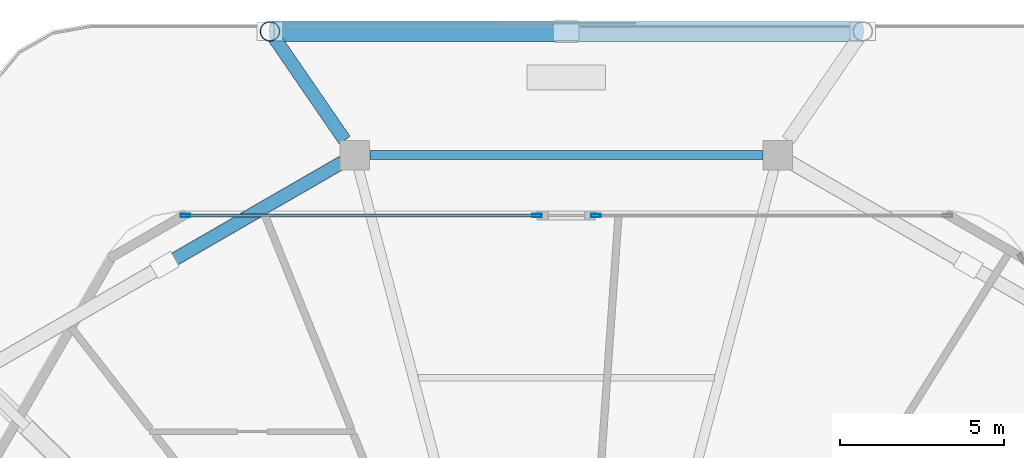
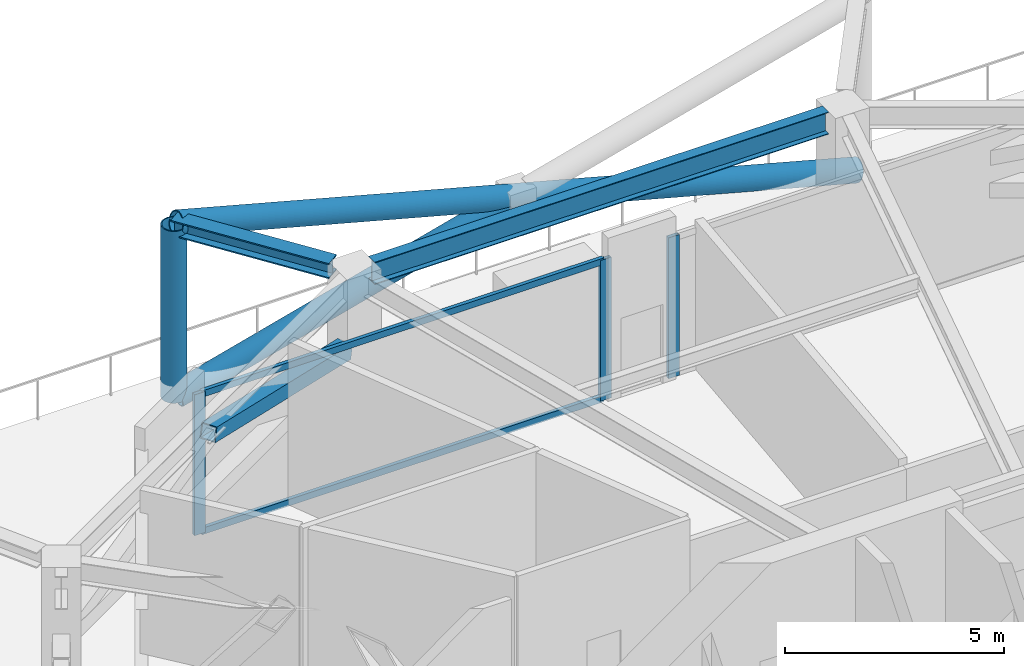
# One storey, part 8 of 20: 9 members, 2 beams, 2 elements without a shape of their own.
"""IFC4 building model written with IfcOpenShell, lengths in metres."""

from ifc_helpers import new_model, si_unit, direction, frame, origin, origin_2d, place, context, subcontext, project, spatial, hollow_rectangle, hollow_circle, i_section, extrude, material, material_profile, profile_set, type_object, element, aggregate, save


model = new_model("IFC4")

# Units and contexts
model_context = context("Model", 3, precision=1e-05, world=origin(), true_north=direction((0.0, 1.0)))
body_context = subcontext(model_context, "Body", "Model", "MODEL_VIEW")
ifc_project = project(units=[si_unit("LENGTHUNIT", "METRE"), si_unit("AREAUNIT", "SQUARE_METRE"), si_unit("VOLUMEUNIT", "CUBIC_METRE"), si_unit("PLANEANGLEUNIT", "RADIAN"), si_unit("MASSUNIT", "GRAM", prefix="KILO")], contexts=[model_context])

# Site, building, storey
site_placement = place(None, origin())
site = spatial("IfcSite", under=ifc_project, at=site_placement, CompositionType="ELEMENT")
building_placement = place(site_placement, origin())
building = spatial("IfcBuilding", under=site, at=building_placement, Name="Zuhravey Tower", CompositionType="ELEMENT")
storey_placement = place(building_placement, frame((0.0, 0.0, 226.39990234375)))
storey = spatial("IfcBuildingStorey", under=building, at=storey_placement, Name="L57", CompositionType="ELEMENT", Elevation=226.39990234375)

# Member
ifc_material_1 = material(Name="Steel SM355", Category="steel")
ifc_material_profile_1 = material_profile(ifc_material_1, hollow_rectangle(XDim=0.39990234375, YDim=0.39990234375, WallThickness=0.02490234375, at=origin_2d()), Name="RHS-400x400x25")
ifc_profile_set_1 = profile_set([ifc_material_profile_1], Name="Steel SM355")
member_type_1 = type_object("IfcMemberType", Name="Belt Truss Diagonal RHS400x400", PredefinedType="BRACE", material=ifc_profile_set_1)
member_1_placement = place(storey_placement, frame((29.15234375, 56.31884765625, 2.493408203125), z_axis=(-0.843861073225, -0.487223376581, 0.224748460302), x_axis=(0.50001536203, -0.866016534331, 0.0)))
element("IfcMember", 1, at=member_1_placement, inside=storey, type_object=member_type_1, Name="L57 Belt Truss Diagonal BTD1-03.1", PredefinedType="BRACE", context=body_context, shape_type="SweptSolid", body=[
    extrude(hollow_rectangle(XDim=0.39990234375, YDim=0.39990234375, WallThickness=0.02490234375, at=origin_2d()), origin(), (0.0, 0.0, 1.0), 6.36767578125),
])

# Beam
ifc_material_2 = material(Name="Steel SM460", Category="steel")
ifc_material_profile_2 = material_profile(ifc_material_2, i_section(OverallWidth=0.406982421875, OverallDepth=0.427978515625, WebThickness=0.02001953125, FlangeThickness=0.034912109375, at=origin_2d()), Name="H-428x407x20x35")
ifc_profile_set_2 = profile_set([ifc_material_profile_2], Name="Steel SM460")
beam_type_1 = type_object("IfcBeamType", Name="Exoskeleton Node Tie Beam H428x407", PredefinedType="BEAM", material=ifc_profile_set_2)
beam_1_placement = place(storey_placement, frame((29.247802734375, 57.0068359375, 4.336181640625), z_axis=(-0.565936679704, 0.824448709481, 0.0), x_axis=(-0.824448709481, -0.565936679704, 0.0)))
element("IfcBeam", 2, at=beam_1_placement, inside=storey, type_object=beam_type_1, Name="L57 Exoskeleton Node Tie NT1-04", PredefinedType="BEAM", context=body_context, shape_type="SweptSolid", body=[
    extrude(i_section(OverallWidth=0.406982421875, OverallDepth=0.427978515625, WebThickness=0.02001953125, FlangeThickness=0.034912109375, at=origin_2d()), origin(), (0.0, 0.0, 1.0), 4.008056640625),
])

# Members
ifc_material_profile_3 = material_profile(ifc_material_1, hollow_circle(Radius=0.3046875, WallThickness=0.028076171875, at=origin_2d()), Name="CHS-609.6x28")
ifc_profile_set_3 = profile_set([ifc_material_profile_3], Name="Steel SM355")
member_type_2 = type_object("IfcMemberType", Name="Exoskeleton Zone 3 Diagrid CHS610x28", PredefinedType="BRACE", material=ifc_profile_set_3)
member_2_placement = place(storey_placement, frame((44.970947265625, 60.323486328125, -0.478515625), z_axis=(-0.96603939346, 0.0, 0.258394834089), x_axis=(0.0, -1.0, 0.0)))
element("IfcMember", 3, at=member_2_placement, inside=storey, type_object=member_type_2, Name="L57 Face 2 Diagrid Brace 2", PredefinedType="BRACE", context=body_context, shape_type="SweptSolid", body=[
    extrude(hollow_circle(Radius=0.3046875, WallThickness=0.028076171875, at=origin_2d()), origin(), (0.0, 0.0, 1.0), 18.57275390625),
])
member_3_placement = place(storey_placement, frame((26.970947265625, 60.323486328125, -0.475830078125), z_axis=(0.0, 0.0, 1.0), x_axis=(1.0, 0.0, 0.0)))
element("IfcMember", 4, at=member_3_placement, inside=storey, type_object=member_type_2, Name="L57 Face 2 Diagrid Brace 4", PredefinedType="BRACE", context=body_context, shape_type="SweptSolid", body=[
    extrude(hollow_circle(Radius=0.3046875, WallThickness=0.028076171875, at=origin_2d()), origin(), (0.0, 0.0, 1.0), 4.7939453125),
])
member_4_placement = place(storey_placement, frame((27.029052734375, 60.323486328125, -0.478515625), z_axis=(0.966035004754, 0.0, 0.258411241223), x_axis=(0.0, 1.0, 0.0)))
element("IfcMember", 5, at=member_4_placement, inside=storey, type_object=member_type_2, Name="L57 Face 2 Split Diagrid Brace 3A", PredefinedType="BRACE", context=body_context, shape_type="SweptSolid", body=[
    extrude(hollow_circle(Radius=0.3046875, WallThickness=0.028076171875, at=origin_2d()), origin(), (0.0, 0.0, 1.0), 8.991455078125),
])

# Curtain wall, members
ifc_material_3 = material(Name="Thermally broken anodised aluminium", Category="aluminium")
curtain_wall_type = type_object("IfcCurtainWallType", Name="Sky-Garden Tray Clerestory Curtain Wall CW5", PredefinedType="NOTDEFINED", material=ifc_material_3)
curtain_wall_1_placement = place(storey_placement, origin())
curtain_wall_1 = element("IfcCurtainWall", 6, at=curtain_wall_1_placement, inside=storey, type_object=curtain_wall_type, Name="L57 CW5 CW-L57-F2-1", PredefinedType="NOTDEFINED")
ifc_material_4 = material(Name="Anodised aluminium", Category="aluminium")
ifc_material_profile_4 = material_profile(ifc_material_4, hollow_rectangle(XDim=0.10009765625, YDim=0.2900390625, WallThickness=0.006103515625, at=origin_2d()), Name="ALU-RHS-100x290x6")
ifc_profile_set_4 = profile_set([ifc_material_profile_4], Name="Anodised aluminium")
member_type_3 = type_object("IfcMemberType", Name="Heavy Tall-Storey Mullion 100x220", PredefinedType="MULLION", material=ifc_profile_set_4)
member_5_placement = place(storey_placement, frame((24.39404296875, 54.713623046875, 0.0), z_axis=(0.0, 0.0, 1.0), x_axis=(0.0, 1.0, 0.0)))
member_5 = element("IfcMember", 7, at=member_5_placement, type_object=member_type_3, Name="CW5 mullion 1", PredefinedType="MULLION", context=body_context, shape_type="SweptSolid", body=[
    extrude(hollow_rectangle(XDim=0.10009765625, YDim=0.2900390625, WallThickness=0.006103515625, at=origin_2d()), origin(), (0.0, 0.0, 1.0), 3.93017578125),
])
member_6_placement = place(storey_placement, frame((35.10009765625, 54.713623046875, 0.0), z_axis=(0.0, 0.0, 1.0), x_axis=(0.0, 1.0, 0.0)))
member_6 = element("IfcMember", 8, at=member_6_placement, type_object=member_type_3, Name="CW5 mullion 2", PredefinedType="MULLION", context=body_context, shape_type="SweptSolid", body=[
    extrude(hollow_rectangle(XDim=0.10009765625, YDim=0.2900390625, WallThickness=0.006103515625, at=origin_2d()), origin(), (0.0, 0.0, 1.0), 3.93017578125),
])

# Curtain wall, member
curtain_wall_2_placement = place(storey_placement, origin())
curtain_wall_2 = element("IfcCurtainWall", 9, at=curtain_wall_2_placement, inside=storey, type_object=curtain_wall_type, Name="L57 CW5 CW-L57-F2-2", PredefinedType="NOTDEFINED")
member_7_placement = place(storey_placement, frame((36.89990234375, 54.713623046875, 0.0), z_axis=(0.0, 0.0, 1.0), x_axis=(0.0, 1.0, 0.0)))
member_7 = element("IfcMember", 10, at=member_7_placement, type_object=member_type_3, Name="CW5 mullion 1", PredefinedType="MULLION", context=body_context, shape_type="SweptSolid", body=[
    extrude(hollow_rectangle(XDim=0.10009765625, YDim=0.2900390625, WallThickness=0.006103515625, at=origin_2d()), origin(), (0.0, 0.0, 1.0), 3.93017578125),
])
aggregate(curtain_wall_2, [member_7])

# Beam
ifc_material_profile_5 = material_profile(ifc_material_1, i_section(OverallWidth=0.280029296875, OverallDepth=0.6201171875, WebThickness=0.011962890625, FlangeThickness=0.02001953125, at=origin_2d()), Name="H-620x280x12x20")
ifc_profile_set_5 = profile_set([ifc_material_profile_5], Name="Steel SM355")
beam_type_2 = type_object("IfcBeamType", Name="Perimeter Ring Beam H620x280", PredefinedType="BEAM", material=ifc_profile_set_5)
beam_2_placement = place(storey_placement, frame((41.98779296875, 56.5537109375, 4.239990234375), z_axis=(-1.0, 0.0, 0.0), x_axis=(0.0, -1.0, 0.0)))
element("IfcBeam", 11, at=beam_2_placement, inside=storey, type_object=beam_type_2, Name="L57 PB3 BM-L57-PB-03", PredefinedType="BEAM", context=body_context, shape_type="SweptSolid", body=[
    extrude(i_section(OverallWidth=0.280029296875, OverallDepth=0.6201171875, WebThickness=0.011962890625, FlangeThickness=0.02001953125, at=origin_2d()), origin(), (0.0, 0.0, 1.0), 11.9755859375),
])

# Member
ifc_material_profile_6 = material_profile(ifc_material_4, hollow_rectangle(XDim=0.10009765625, YDim=0.179931640625, WallThickness=0.006103515625, at=origin_2d()), Name="ALU-RHS-100x180x6")
ifc_profile_set_6 = profile_set([ifc_material_profile_6], Name="Anodised aluminium")
member_type_4 = type_object("IfcMemberType", Name="Tall-Storey Transom 100x180", PredefinedType="USERDEFINED", material=ifc_profile_set_6)
member_8_placement = place(storey_placement, frame((24.444091796875, 54.713623046875, 0.050048828125), z_axis=(1.0, 0.0, 0.0), x_axis=(0.0, 1.0, 0.0)))
member_8 = element("IfcMember", 12, at=member_8_placement, type_object=member_type_4, Name="CW5 transom 1.1", ObjectType="TRANSOM", PredefinedType="USERDEFINED", context=body_context, shape_type="SweptSolid", body=[
    extrude(hollow_rectangle(XDim=0.10009765625, YDim=0.179931640625, WallThickness=0.006103515625, at=origin_2d()), origin(), (0.0, 0.0, 1.0), 10.60595703125),
])

member_9_placement = place(storey_placement, frame((24.444091796875, 54.713623046875, 3.880126953125), z_axis=(1.0, 0.0, 0.0), x_axis=(0.0, 1.0, 0.0)))
member_9 = element("IfcMember", 13, at=member_9_placement, type_object=member_type_4, Name="CW5 transom 1.2", ObjectType="TRANSOM", PredefinedType="USERDEFINED", context=body_context, shape_type="SweptSolid", body=[
    extrude(hollow_rectangle(XDim=0.10009765625, YDim=0.179931640625, WallThickness=0.006103515625, at=origin_2d()), origin(), (0.0, 0.0, 1.0), 10.60595703125),
])

aggregate(curtain_wall_1, [member_5, member_6, member_8, member_9])

save(model, "model.ifc")
